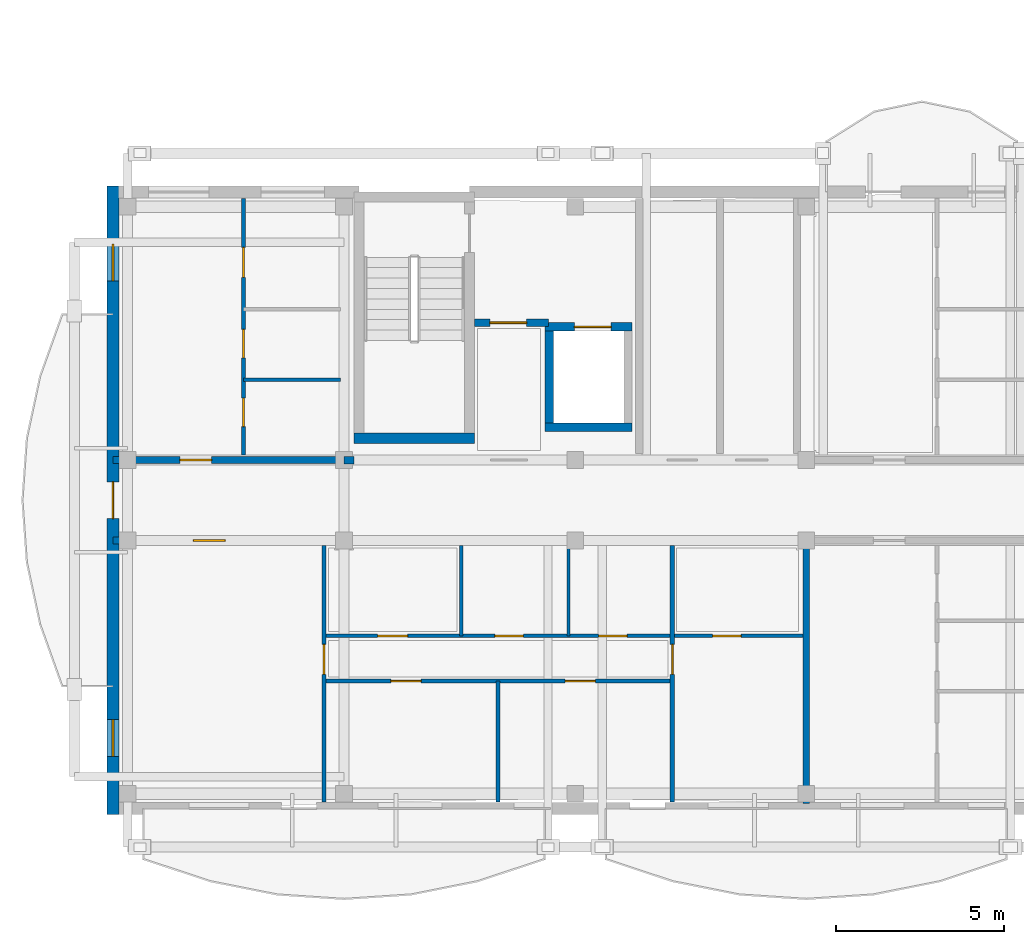
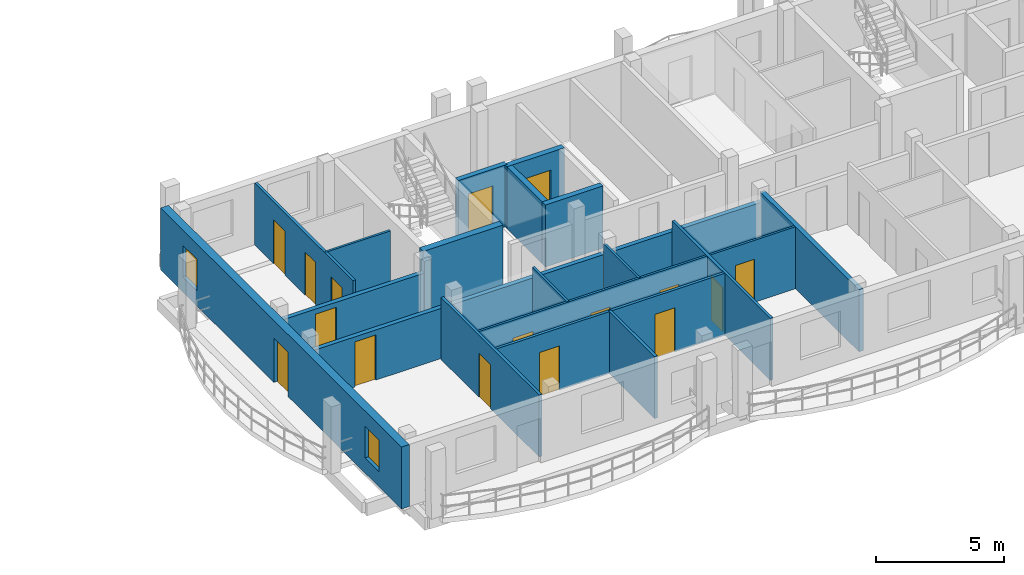
# One storey, part 14 of 44: 19 walls, 16 doors, 2 windows, 18 openings.
"""IFC4 building model written with IfcOpenShell, lengths in metres."""

from ifc_helpers import new_model, si_unit, direction, frame, frame_2d, origin, origin_with_axes, place, context, subcontext, project, spatial, rectangle, extrude, material, layer, layer_set, type_object, element, fill, save


model = new_model("IFC4")

# Units and contexts
model_context = context("Model", 3, precision=1e-05, world=origin(), true_north=direction((0.0, 1.0)))
body_context = subcontext(model_context, "Body", "Model", "MODEL_VIEW")
ifc_project = project(units=[si_unit("LENGTHUNIT", "METRE"), si_unit("AREAUNIT", "SQUARE_METRE"), si_unit("VOLUMEUNIT", "CUBIC_METRE"), si_unit("PLANEANGLEUNIT", "RADIAN"), si_unit("MASSUNIT", "GRAM", prefix="KILO")], contexts=[model_context])

# Site, building, storey
site_placement = place(None, origin())
site = spatial("IfcSite", under=ifc_project, at=site_placement, CompositionType="ELEMENT")
building_placement = place(site_placement, origin())
building = spatial("IfcBuilding", under=site, at=building_placement, Name="Zavelmont Quarter", CompositionType="ELEMENT")
storey_placement = place(building_placement, frame((0.0, 0.0, 20.800048828125)))
storey = spatial("IfcBuildingStorey", under=building, at=storey_placement, Name="L06", CompositionType="ELEMENT", Elevation=20.800048828125)

# Wall, openings, door, windows
ifc_material_1 = material(Name="Natural Belgian limestone", Category="masonry")
ifc_layer_1 = layer(ifc_material_1, 0.360107421875)
ifc_layer_set_1 = layer_set([ifc_layer_1], Name="Natural Belgian limestone")
wall_type_1 = type_object("IfcWallType", Name="EW02", PredefinedType="STANDARD", material=ifc_layer_set_1)
wall_1_placement = place(storey_placement, frame((0.0, -0.179931640625, 0.0), z_axis=(0.0, 0.0, 1.0), x_axis=(0.0, 1.0, 0.0)))
wall_1 = element("IfcWall", 1, at=wall_1_placement, inside=storey, type_object=wall_type_1, Name="L06 exterior limestone wall EW02", PredefinedType="STANDARD", context=body_context, shape_type="SweptSolid", body=[
    extrude(rectangle(XDim=18.760009765625, YDim=0.360107421875, at=frame_2d((9.3798828125, 0.0))), origin(), (0.0, 0.0, 1.0), 2.949951171875),
])
opening_1_placement = place(wall_1_placement, frame((8.830078125, 0.0, 0.0)))
opening_1 = element("IfcOpeningElement", 2, at=opening_1_placement, cuts=wall_1, Name="Opening DR04B", PredefinedType="OPENING", context=body_context, shape_type="SweptSolid", body=[
    extrude(rectangle(XDim=1.10009765625, YDim=2.10009765625, at=frame_2d((0.550048828125, 1.050048828125))), frame((0.0, 0.19189453125, 0.0), z_axis=(0.0, -1.0, 0.0), x_axis=(1.0, 0.0, 0.0)), (0.0, 0.0, 1.0), 0.384033203125),
])
opening_2_placement = place(wall_1_placement, frame((1.72998046875, 0.0, 0.719970703125)))
opening_2 = element("IfcOpeningElement", 3, at=opening_2_placement, cuts=wall_1, Name="Opening WN09", PredefinedType="OPENING", context=body_context, shape_type="SweptSolid", body=[
    extrude(rectangle(XDim=1.10009765625, YDim=1.5, at=frame_2d((0.550048828125, 0.75))), frame((0.0, 0.19189453125, 0.0), z_axis=(0.0, -1.0, 0.0), x_axis=(1.0, 0.0, 0.0)), (0.0, 0.0, 1.0), 0.384033203125),
])
opening_3_placement = place(wall_1_placement, frame((15.929931640625, 0.0, 0.719970703125)))
opening_3 = element("IfcOpeningElement", 4, at=opening_3_placement, cuts=wall_1, Name="Opening WN09", PredefinedType="OPENING", context=body_context, shape_type="SweptSolid", body=[
    extrude(rectangle(XDim=1.10009765625, YDim=1.5, at=frame_2d((0.550048828125, 0.75))), frame((0.0, 0.19189453125, 0.0), z_axis=(0.0, -1.0, 0.0), x_axis=(1.0, 0.0, 0.0)), (0.0, 0.0, 1.0), 0.384033203125),
])
ifc_material_2 = material(Name="Thermally broken aluminium and double safety glass", Category="aluminium")
door_type_1 = type_object("IfcDoorType", Name="DR04B", OperationType="NOTDEFINED", PredefinedType="DOOR", material=ifc_material_2)
door_1_placement = place(opening_1_placement, frame((1.10009765625, 0.0, 0.0), z_axis=(0.0, 0.0, 1.0), x_axis=(-1.0, 0.0, 0.0)))
door_1 = element("IfcDoor", 5, at=door_1_placement, inside=storey, type_object=door_type_1, Name="Block A L06 terrace or vase balcony door", OperationType="SINGLE_SWING_LEFT", OverallHeight=2.10009765625, OverallWidth=1.10009765625, PredefinedType="DOOR", context=body_context, shape_type="SweptSolid", body=[
    extrude(rectangle(XDim=1.10009765625, YDim=2.10009765625, at=frame_2d((0.550048828125, 1.050048828125))), frame((0.0, 0.02490234375, 0.0), z_axis=(0.0, -1.0, 0.0), x_axis=(1.0, 0.0, 0.0)), (0.0, 0.0, 1.0), 0.050048828125),
])
fill(opening_1, door_1)
ifc_material_3 = material(Name="Double low-E insulated glazing in thermally broken aluminium frame", Category="aluminium")
window_type = type_object("IfcWindowType", Name="WN09", PartitioningType="SINGLE_PANEL", PredefinedType="WINDOW", material=ifc_material_3)
window_1_placement = place(opening_2_placement, origin_with_axes())
window_1 = element("IfcWindow", 6, at=window_1_placement, inside=storey, type_object=window_type, Name="L06 window WN09", OverallHeight=1.5, OverallWidth=1.10009765625, PartitioningType="SINGLE_PANEL", PredefinedType="WINDOW", context=body_context, shape_type="SweptSolid", body=[
    extrude(rectangle(XDim=1.10009765625, YDim=1.5, at=frame_2d((0.550048828125, 0.75))), frame((0.0, 0.030029296875, 0.0), z_axis=(0.0, -1.0, 0.0), x_axis=(1.0, 0.0, 0.0)), (0.0, 0.0, 1.0), 0.06005859375),
])
fill(opening_2, window_1)
window_2_placement = place(opening_3_placement, origin_with_axes())
window_2 = element("IfcWindow", 7, at=window_2_placement, inside=storey, type_object=window_type, Name="L06 window WN09", OverallHeight=1.5, OverallWidth=1.10009765625, PartitioningType="SINGLE_PANEL", PredefinedType="WINDOW", context=body_context, shape_type="SweptSolid", body=[
    extrude(rectangle(XDim=1.10009765625, YDim=1.5, at=frame_2d((0.550048828125, 0.75))), frame((0.0, 0.030029296875, 0.0), z_axis=(0.0, -1.0, 0.0), x_axis=(1.0, 0.0, 0.0)), (0.0, 0.0, 1.0), 0.06005859375),
])
fill(opening_3, window_2)

# Wall
ifc_material_4 = material(Name="Calcium-silicate blockwork and acoustic plaster", Category="masonry")
ifc_layer_2 = layer(ifc_material_4, 0.199951171875)
ifc_layer_set_2 = layer_set([ifc_layer_2], Name="Calcium-silicate blockwork and acoustic plaster")
wall_type_2 = type_object("IfcWallType", Name="IW01", PredefinedType="PARTITIONING", material=ifc_layer_set_2)
wall_2_placement = place(storey_placement, frame((20.699951171875, 7.85009765625, 0.0), z_axis=(0.0, 0.0, 1.0), x_axis=(0.0, -1.0, 0.0)))
element("IfcWall", 8, at=wall_2_placement, inside=storey, type_object=wall_type_2, Name="L06 Inter-dwelling compartment wall IW01", PredefinedType="PARTITIONING", context=body_context, shape_type="SweptSolid", body=[
    extrude(rectangle(XDim=7.7001953125, YDim=0.199951171875, at=frame_2d((3.85009765625, 0.0))), origin(), (0.0, 0.0, 1.0), 2.949951171875),
])

# Wall, opening, door
wall_3_placement = place(storey_placement, frame((0.0, 8.0, 0.0), z_axis=(0.0, 0.0, 1.0), x_axis=(1.0, 0.0, 0.0)))
wall_3 = element("IfcWall", 9, at=wall_3_placement, inside=storey, type_object=wall_type_2, Name="L06 Corridor compartment wall IW01", PredefinedType="PARTITIONING", context=body_context, shape_type="SweptSolid", body=[
    extrude(rectangle(XDim=20.699951171875, YDim=0.199951171875, at=frame_2d((10.35009765625, 0.0))), origin(), (0.0, 0.0, 1.0), 2.389892578125),
])
opening_4_placement = place(wall_3_placement, frame((2.39990234375, 0.0, 0.0)))
opening_4 = element("IfcOpeningElement", 10, at=opening_4_placement, cuts=wall_3, Name="Opening DR02", PredefinedType="OPENING", context=body_context, shape_type="SweptSolid", body=[
    extrude(rectangle(XDim=0.949951171875, YDim=2.14990234375, at=frame_2d((0.47509765625, 1.074951171875))), frame((0.0, 0.11181640625, 0.0), z_axis=(0.0, -1.0, 0.0), x_axis=(1.0, 0.0, 0.0)), (0.0, 0.0, 1.0), 0.223876953125),
])
ifc_material_5 = material(Name="Solid-core oak fire leaf in steel frame", Category="steel")
door_type_2 = type_object("IfcDoorType", Name="DR02", OperationType="NOTDEFINED", PredefinedType="DOOR", material=ifc_material_5)
door_2_placement = place(opening_4_placement, frame((0.949951171875, 0.0, 0.0), z_axis=(0.0, 0.0, 1.0), x_axis=(-1.0, 0.0, 0.0)))
door_2 = element("IfcDoor", 11, at=door_2_placement, inside=storey, type_object=door_type_2, Name="L06 door DR02", OperationType="SINGLE_SWING_LEFT", OverallHeight=2.14990234375, OverallWidth=0.949951171875, PredefinedType="DOOR", context=body_context, shape_type="SweptSolid", body=[
    extrude(rectangle(XDim=0.949951171875, YDim=2.14990234375, at=frame_2d((0.47509765625, 1.074951171875))), frame((0.0, 0.02490234375, 0.0), z_axis=(0.0, -1.0, 0.0), x_axis=(1.0, 0.0, 0.0)), (0.0, 0.0, 1.0), 0.050048828125),
])
fill(opening_4, door_2)

wall_4_placement = place(storey_placement, frame((0.0, 10.39990234375, 0.0), z_axis=(0.0, 0.0, 1.0), x_axis=(1.0, 0.0, 0.0)))
wall_4 = element("IfcWall", 12, at=wall_4_placement, inside=storey, type_object=wall_type_2, Name="L06 Corridor compartment wall IW01", PredefinedType="PARTITIONING", context=body_context, shape_type="SweptSolid", body=[
    extrude(rectangle(XDim=6.89990234375, YDim=0.199951171875, at=frame_2d((3.449951171875, 0.0))), origin(), (0.0, 0.0, 1.0), 2.389892578125),
])
opening_5_placement = place(wall_4_placement, frame((2.0, 0.0, 0.0)))
opening_5 = element("IfcOpeningElement", 13, at=opening_5_placement, cuts=wall_4, Name="Opening DR02", PredefinedType="OPENING", context=body_context, shape_type="SweptSolid", body=[
    extrude(rectangle(XDim=0.949951171875, YDim=2.14990234375, at=frame_2d((0.47509765625, 1.074951171875))), frame((0.0, 0.11181640625, 0.0), z_axis=(0.0, -1.0, 0.0), x_axis=(1.0, 0.0, 0.0)), (0.0, 0.0, 1.0), 0.223876953125),
])
door_3_placement = place(opening_5_placement, origin_with_axes())
door_3 = element("IfcDoor", 14, at=door_3_placement, inside=storey, type_object=door_type_2, Name="L06 door DR02", OperationType="SINGLE_SWING_LEFT", OverallHeight=2.14990234375, OverallWidth=0.949951171875, PredefinedType="DOOR", context=body_context, shape_type="SweptSolid", body=[
    extrude(rectangle(XDim=0.949951171875, YDim=2.14990234375, at=frame_2d((0.47509765625, 1.074951171875))), frame((0.0, 0.02490234375, 0.0), z_axis=(0.0, -1.0, 0.0), x_axis=(1.0, 0.0, 0.0)), (0.0, 0.0, 1.0), 0.050048828125),
])
fill(opening_5, door_3)

ifc_material_6 = material(Name="Reinforced masonry fire compartment wall", Category="masonry")
ifc_layer_3 = layer(ifc_material_6, 0.22509765625)
ifc_layer_set_3 = layer_set([ifc_layer_3], Name="Reinforced masonry fire compartment wall")
wall_type_3 = type_object("IfcWallType", Name="IW02", PredefinedType="PARTITIONING", material=ifc_layer_set_3)
wall_5_placement = place(storey_placement, frame((10.800048828125, 14.5, 0.0), z_axis=(0.0, 0.0, 1.0), x_axis=(1.0, 0.0, 0.0)))
wall_5 = element("IfcWall", 15, at=wall_5_placement, inside=storey, type_object=wall_type_3, Name="L06 Firefighting lobby threshold wall IW02", PredefinedType="PARTITIONING", context=body_context, shape_type="SweptSolid", body=[
    extrude(rectangle(XDim=2.199951171875, YDim=0.22509765625, at=frame_2d((1.10009765625, 0.0))), origin(), (0.0, 0.0, 1.0), 2.949951171875),
])
opening_6_placement = place(wall_5_placement, frame((0.449951171875, 0.0, 0.0)))
opening_6 = element("IfcOpeningElement", 16, at=opening_6_placement, cuts=wall_5, Name="Opening DR10", PredefinedType="OPENING", context=body_context, shape_type="SweptSolid", body=[
    extrude(rectangle(XDim=1.10009765625, YDim=2.14990234375, at=frame_2d((0.550048828125, 1.074951171875))), frame((0.0, 0.12451171875, 0.0), z_axis=(0.0, -1.0, 0.0), x_axis=(1.0, 0.0, 0.0)), (0.0, 0.0, 1.0), 0.2490234375),
])
ifc_material_7 = material(Name="Painted steel lobby fire door", Category="steel")
door_type_3 = type_object("IfcDoorType", Name="DR10", OperationType="NOTDEFINED", PredefinedType="DOOR", material=ifc_material_7)
door_4_placement = place(opening_6_placement, origin_with_axes())
door_4 = element("IfcDoor", 17, at=door_4_placement, inside=storey, type_object=door_type_3, Name="Firefighting lobby fire door", OperationType="SINGLE_SWING_RIGHT", OverallHeight=2.14990234375, OverallWidth=1.10009765625, PredefinedType="DOOR", context=body_context, shape_type="SweptSolid", body=[
    extrude(rectangle(XDim=1.10009765625, YDim=2.14990234375, at=frame_2d((0.550048828125, 1.074951171875))), frame((0.0, 0.02490234375, 0.0), z_axis=(0.0, -1.0, 0.0), x_axis=(1.0, 0.0, 0.0)), (0.0, 0.0, 1.0), 0.050048828125),
])
fill(opening_6, door_4)

# Wall
wall_6_placement = place(storey_placement, frame((6.89990234375, 10.39990234375, 0.0), z_axis=(0.0, 0.0, 1.0), x_axis=(1.0, 0.0, 0.0)))
element("IfcWall", 18, at=wall_6_placement, inside=storey, type_object=wall_type_3, Name="L06 Core corridor wall IW02", PredefinedType="PARTITIONING", context=body_context, shape_type="SweptSolid", body=[
    extrude(rectangle(XDim=0.300048828125, YDim=0.22509765625, at=frame_2d((0.14990234375, 0.0))), origin(), (0.0, 0.0, 1.0), 2.949951171875),
])

# Wall, opening, door
ifc_material_8 = material(Name="Double gypsum board on acoustic steel stud", Category="steel")
ifc_layer_4 = layer(ifc_material_8, 0.125)
ifc_layer_set_4 = layer_set([ifc_layer_4], Name="Double gypsum board on acoustic steel stud")
wall_type_4 = type_object("IfcWallType", Name="IW03", PredefinedType="PARTITIONING", material=ifc_layer_set_4)
wall_7_placement = place(storey_placement, frame((6.300048828125, 7.85009765625, 0.0), z_axis=(0.0, 0.0, 1.0), x_axis=(0.0, -1.0, 0.0)))
wall_7 = element("IfcWall", 19, at=wall_7_placement, inside=storey, type_object=wall_type_4, Name="L06 Partition IW03", PredefinedType="PARTITIONING", context=body_context, shape_type="SweptSolid", body=[
    extrude(rectangle(XDim=7.650146484375, YDim=0.125, at=frame_2d((3.8251953125, 0.0))), origin(), (0.0, 0.0, 1.0), 2.949951171875),
])
opening_7_placement = place(wall_7_placement, frame((2.949951171875, 0.0, 0.0)))
opening_7 = element("IfcOpeningElement", 20, at=opening_7_placement, cuts=wall_7, Name="Opening DR05", PredefinedType="OPENING", context=body_context, shape_type="SweptSolid", body=[
    extrude(rectangle(XDim=0.89990234375, YDim=2.10009765625, at=frame_2d((0.449951171875, 1.050048828125))), frame((0.0, 0.074462890625, 0.0), z_axis=(0.0, -1.0, 0.0), x_axis=(1.0, 0.0, 0.0)), (0.0, 0.0, 1.0), 0.14892578125),
])
ifc_material_9 = material(Name="Engineered oak flush interior door")
door_type_4 = type_object("IfcDoorType", Name="DR05", OperationType="NOTDEFINED", PredefinedType="DOOR", material=ifc_material_9)
door_5_placement = place(opening_7_placement, origin_with_axes())
door_5 = element("IfcDoor", 21, at=door_5_placement, inside=storey, type_object=door_type_4, Name="L06 door DR05", OperationType="SINGLE_SWING_LEFT", OverallHeight=2.10009765625, OverallWidth=0.89990234375, PredefinedType="DOOR", context=body_context, shape_type="SweptSolid", body=[
    extrude(rectangle(XDim=0.89990234375, YDim=2.10009765625, at=frame_2d((0.449951171875, 1.050048828125))), frame((0.0, 0.02490234375, 0.0), z_axis=(0.0, -1.0, 0.0), x_axis=(1.0, 0.0, 0.0)), (0.0, 0.0, 1.0), 0.050048828125),
])
fill(opening_7, door_5)

# Wall
wall_8_placement = place(storey_placement, frame((11.5, 3.800048828125, 0.0), z_axis=(0.0, 0.0, 1.0), x_axis=(0.0, -1.0, 0.0)))
element("IfcWall", 22, at=wall_8_placement, inside=storey, type_object=wall_type_4, Name="L06 Partition IW03", PredefinedType="PARTITIONING", context=body_context, shape_type="SweptSolid", body=[
    extrude(rectangle(XDim=3.60009765625, YDim=0.125, at=frame_2d((1.800048828125, 0.0))), origin(), (0.0, 0.0, 1.0), 2.949951171875),
])

# Wall, opening, door
wall_9_placement = place(storey_placement, frame((16.699951171875, 7.85009765625, 0.0), z_axis=(0.0, 0.0, 1.0), x_axis=(0.0, -1.0, 0.0)))
wall_9 = element("IfcWall", 23, at=wall_9_placement, inside=storey, type_object=wall_type_4, Name="L06 Partition IW03", PredefinedType="PARTITIONING", context=body_context, shape_type="SweptSolid", body=[
    extrude(rectangle(XDim=7.650146484375, YDim=0.125, at=frame_2d((3.8251953125, 0.0))), origin(), (0.0, 0.0, 1.0), 2.949951171875),
])
opening_8_placement = place(wall_9_placement, frame((2.949951171875, 0.0, 0.0)))
opening_8 = element("IfcOpeningElement", 24, at=opening_8_placement, cuts=wall_9, Name="Opening DR05", PredefinedType="OPENING", context=body_context, shape_type="SweptSolid", body=[
    extrude(rectangle(XDim=0.89990234375, YDim=2.10009765625, at=frame_2d((0.449951171875, 1.050048828125))), frame((0.0, 0.074462890625, 0.0), z_axis=(0.0, -1.0, 0.0), x_axis=(1.0, 0.0, 0.0)), (0.0, 0.0, 1.0), 0.14892578125),
])
door_6_placement = place(opening_8_placement, frame((0.89990234375, 0.0, 0.0), z_axis=(0.0, 0.0, 1.0), x_axis=(-1.0, 0.0, 0.0)))
door_6 = element("IfcDoor", 25, at=door_6_placement, inside=storey, type_object=door_type_4, Name="L06 door DR05", OperationType="SINGLE_SWING_RIGHT", OverallHeight=2.10009765625, OverallWidth=0.89990234375, PredefinedType="DOOR", context=body_context, shape_type="SweptSolid", body=[
    extrude(rectangle(XDim=0.89990234375, YDim=2.10009765625, at=frame_2d((0.449951171875, 1.050048828125))), frame((0.0, 0.02490234375, 0.0), z_axis=(0.0, -1.0, 0.0), x_axis=(1.0, 0.0, 0.0)), (0.0, 0.0, 1.0), 0.050048828125),
])
fill(opening_8, door_6)

# Wall, openings, doors
wall_10_placement = place(storey_placement, frame((6.300048828125, 3.800048828125, 0.0), z_axis=(0.0, 0.0, 1.0), x_axis=(1.0, 0.0, 0.0)))
wall_10 = element("IfcWall", 26, at=wall_10_placement, inside=storey, type_object=wall_type_4, Name="L06 Partition IW03", PredefinedType="PARTITIONING", context=body_context, shape_type="SweptSolid", body=[
    extrude(rectangle(XDim=10.39990234375, YDim=0.125, at=frame_2d((5.199951171875, 0.0))), origin(), (0.0, 0.0, 1.0), 2.949951171875),
])
opening_9_placement = place(wall_10_placement, frame((2.0, 0.0, 0.0)))
opening_9 = element("IfcOpeningElement", 27, at=opening_9_placement, cuts=wall_10, Name="Opening DR05", PredefinedType="OPENING", context=body_context, shape_type="SweptSolid", body=[
    extrude(rectangle(XDim=0.89990234375, YDim=2.10009765625, at=frame_2d((0.449951171875, 1.050048828125))), frame((0.0, 0.074462890625, 0.0), z_axis=(0.0, -1.0, 0.0), x_axis=(1.0, 0.0, 0.0)), (0.0, 0.0, 1.0), 0.14892578125),
])
opening_10_placement = place(wall_10_placement, frame((7.199951171875, 0.0, 0.0)))
opening_10 = element("IfcOpeningElement", 28, at=opening_10_placement, cuts=wall_10, Name="Opening DR05", PredefinedType="OPENING", context=body_context, shape_type="SweptSolid", body=[
    extrude(rectangle(XDim=0.89990234375, YDim=2.10009765625, at=frame_2d((0.449951171875, 1.050048828125))), frame((0.0, 0.074462890625, 0.0), z_axis=(0.0, -1.0, 0.0), x_axis=(1.0, 0.0, 0.0)), (0.0, 0.0, 1.0), 0.14892578125),
])
door_7_placement = place(opening_9_placement, origin_with_axes())
door_7 = element("IfcDoor", 29, at=door_7_placement, inside=storey, type_object=door_type_4, Name="L06 door DR05", OperationType="SINGLE_SWING_LEFT", OverallHeight=2.10009765625, OverallWidth=0.89990234375, PredefinedType="DOOR", context=body_context, shape_type="SweptSolid", body=[
    extrude(rectangle(XDim=0.89990234375, YDim=2.10009765625, at=frame_2d((0.449951171875, 1.050048828125))), frame((0.0, 0.02490234375, 0.0), z_axis=(0.0, -1.0, 0.0), x_axis=(1.0, 0.0, 0.0)), (0.0, 0.0, 1.0), 0.050048828125),
])
fill(opening_9, door_7)
door_8_placement = place(opening_10_placement, frame((0.89990234375, 0.0, 0.0), z_axis=(0.0, 0.0, 1.0), x_axis=(-1.0, 0.0, 0.0)))
door_8 = element("IfcDoor", 30, at=door_8_placement, inside=storey, type_object=door_type_4, Name="L06 door DR05", OperationType="SINGLE_SWING_RIGHT", OverallHeight=2.10009765625, OverallWidth=0.89990234375, PredefinedType="DOOR", context=body_context, shape_type="SweptSolid", body=[
    extrude(rectangle(XDim=0.89990234375, YDim=2.10009765625, at=frame_2d((0.449951171875, 1.050048828125))), frame((0.0, 0.02490234375, 0.0), z_axis=(0.0, -1.0, 0.0), x_axis=(1.0, 0.0, 0.0)), (0.0, 0.0, 1.0), 0.050048828125),
])
fill(opening_10, door_8)

wall_11_placement = place(storey_placement, frame((3.89990234375, 10.550048828125, 0.0), z_axis=(0.0, 0.0, 1.0), x_axis=(0.0, 1.0, 0.0)))
wall_11 = element("IfcWall", 31, at=wall_11_placement, inside=storey, type_object=wall_type_4, Name="L06 Partition IW03", PredefinedType="PARTITIONING", context=body_context, shape_type="SweptSolid", body=[
    extrude(rectangle(XDim=7.64990234375, YDim=0.125, at=frame_2d((3.824951171875, 0.0))), origin(), (0.0, 0.0, 1.0), 2.949951171875),
])
opening_11_placement = place(wall_11_placement, frame((0.85009765625, 0.0, 0.0)))
opening_11 = element("IfcOpeningElement", 32, at=opening_11_placement, cuts=wall_11, Name="Opening DR16", PredefinedType="OPENING", context=body_context, shape_type="SweptSolid", body=[
    extrude(rectangle(XDim=0.85009765625, YDim=2.10009765625, at=frame_2d((0.425048828125, 1.050048828125))), frame((0.0, 0.074462890625, 0.0), z_axis=(0.0, -1.0, 0.0), x_axis=(1.0, 0.0, 0.0)), (0.0, 0.0, 1.0), 0.14892578125),
])
opening_12_placement = place(wall_11_placement, frame((2.89990234375, 0.0, 0.0)))
opening_12 = element("IfcOpeningElement", 33, at=opening_12_placement, cuts=wall_11, Name="Opening DR06", PredefinedType="OPENING", context=body_context, shape_type="SweptSolid", body=[
    extrude(rectangle(XDim=0.85009765625, YDim=2.050048828125, at=frame_2d((0.425048828125, 1.02490234375))), frame((0.0, 0.074462890625, 0.0), z_axis=(0.0, -1.0, 0.0), x_axis=(1.0, 0.0, 0.0)), (0.0, 0.0, 1.0), 0.14892578125),
])
opening_13_placement = place(wall_11_placement, frame((5.300048828125, 0.0, 0.0)))
opening_13 = element("IfcOpeningElement", 34, at=opening_13_placement, cuts=wall_11, Name="Opening DR05", PredefinedType="OPENING", context=body_context, shape_type="SweptSolid", body=[
    extrude(rectangle(XDim=0.89990234375, YDim=2.10009765625, at=frame_2d((0.449951171875, 1.050048828125))), frame((0.0, 0.074462890625, 0.0), z_axis=(0.0, -1.0, 0.0), x_axis=(1.0, 0.0, 0.0)), (0.0, 0.0, 1.0), 0.14892578125),
])
door_9_placement = place(opening_13_placement, origin_with_axes())
door_9 = element("IfcDoor", 35, at=door_9_placement, inside=storey, type_object=door_type_4, Name="L06 door DR05", OperationType="SINGLE_SWING_LEFT", OverallHeight=2.10009765625, OverallWidth=0.89990234375, PredefinedType="DOOR", context=body_context, shape_type="SweptSolid", body=[
    extrude(rectangle(XDim=0.89990234375, YDim=2.10009765625, at=frame_2d((0.449951171875, 1.050048828125))), frame((0.0, 0.02490234375, 0.0), z_axis=(0.0, -1.0, 0.0), x_axis=(1.0, 0.0, 0.0)), (0.0, 0.0, 1.0), 0.050048828125),
])
fill(opening_13, door_9)
ifc_material_10 = material(Name="Moisture-resistant painted wet-room door")
door_type_5 = type_object("IfcDoorType", Name="DR06", OperationType="NOTDEFINED", PredefinedType="DOOR", material=ifc_material_10)
door_10_placement = place(opening_12_placement, frame((0.85009765625, 0.0, 0.0), z_axis=(0.0, 0.0, 1.0), x_axis=(-1.0, 0.0, 0.0)))
door_10 = element("IfcDoor", 36, at=door_10_placement, inside=storey, type_object=door_type_5, Name="L06 door DR06", OperationType="SINGLE_SWING_RIGHT", OverallHeight=2.050048828125, OverallWidth=0.85009765625, PredefinedType="DOOR", context=body_context, shape_type="SweptSolid", body=[
    extrude(rectangle(XDim=0.85009765625, YDim=2.050048828125, at=frame_2d((0.425048828125, 1.02490234375))), frame((0.0, 0.02490234375, 0.0), z_axis=(0.0, -1.0, 0.0), x_axis=(1.0, 0.0, 0.0)), (0.0, 0.0, 1.0), 0.050048828125),
])
fill(opening_12, door_10)
door_type_6 = type_object("IfcDoorType", Name="DR16", OperationType="NOTDEFINED", PredefinedType="DOOR", material=ifc_material_9)
door_11_placement = place(opening_11_placement, origin_with_axes())
door_11 = element("IfcDoor", 37, at=door_11_placement, inside=storey, type_object=door_type_6, Name="L06 door DR16", OperationType="SINGLE_SWING_LEFT", OverallHeight=2.10009765625, OverallWidth=0.85009765625, PredefinedType="DOOR", context=body_context, shape_type="SweptSolid", body=[
    extrude(rectangle(XDim=0.85009765625, YDim=2.10009765625, at=frame_2d((0.425048828125, 1.050048828125))), frame((0.0, 0.02490234375, 0.0), z_axis=(0.0, -1.0, 0.0), x_axis=(1.0, 0.0, 0.0)), (0.0, 0.0, 1.0), 0.050048828125),
])
fill(opening_11, door_11)

# Walls
ifc_material_11 = material(Name="Moisture-resistant gypsum board on steel stud", Category="steel")
ifc_layer_5 = layer(ifc_material_11, 0.10009765625)
ifc_layer_set_5 = layer_set([ifc_layer_5], Name="Moisture-resistant gypsum board on steel stud")
wall_type_5 = type_object("IfcWallType", Name="IW04", PredefinedType="PARTITIONING", material=ifc_layer_set_5)
for number, where, z_axis, x_axis, name in (
    (38, (10.39990234375, 7.85009765625, 0.0), (0.0, 0.0, 1.0), (0.0, -1.0, 0.0), "L06 Partition IW04"),
    (39, (13.60009765625, 7.85009765625, 0.0), (0.0, 0.0, 1.0), (0.0, -1.0, 0.0), "L06 Partition IW04"),
):
    element("IfcWall", number, at=place(storey_placement, frame(where, z_axis=z_axis, x_axis=x_axis)), inside=storey, type_object=wall_type_5, Name=name, PredefinedType="PARTITIONING", context=body_context, shape_type="SweptSolid", body=[
        extrude(rectangle(XDim=2.7001953125, YDim=0.10009765625, at=frame_2d((1.35009765625, 0.0))), origin(), (0.0, 0.0, 1.0), 2.949951171875),
    ])

# Wall, openings, doors
wall_12_placement = place(storey_placement, frame((6.300048828125, 5.14990234375, 0.0), z_axis=(0.0, 0.0, 1.0), x_axis=(1.0, 0.0, 0.0)))
wall_12 = element("IfcWall", 40, at=wall_12_placement, inside=storey, type_object=wall_type_5, Name="L06 Partition IW04", PredefinedType="PARTITIONING", context=body_context, shape_type="SweptSolid", body=[
    extrude(rectangle(XDim=14.300048828125, YDim=0.10009765625, at=frame_2d((7.14990234375, 0.0))), origin(), (0.0, 0.0, 1.0), 2.949951171875),
])
opening_14_placement = place(wall_12_placement, frame((1.60009765625, 0.0, 0.0)))
opening_14 = element("IfcOpeningElement", 41, at=opening_14_placement, cuts=wall_12, Name="Opening DR05", PredefinedType="OPENING", context=body_context, shape_type="SweptSolid", body=[
    extrude(rectangle(XDim=0.89990234375, YDim=2.10009765625, at=frame_2d((0.449951171875, 1.050048828125))), frame((0.0, 0.06201171875, 0.0), z_axis=(0.0, -1.0, 0.0), x_axis=(1.0, 0.0, 0.0)), (0.0, 0.0, 1.0), 0.1240234375),
])
opening_15_placement = place(wall_12_placement, frame((5.10009765625, 0.0, 0.0)))
opening_15 = element("IfcOpeningElement", 42, at=opening_15_placement, cuts=wall_12, Name="Opening DR06", PredefinedType="OPENING", context=body_context, shape_type="SweptSolid", body=[
    extrude(rectangle(XDim=0.85009765625, YDim=2.050048828125, at=frame_2d((0.425048828125, 1.02490234375))), frame((0.0, 0.06201171875, 0.0), z_axis=(0.0, -1.0, 0.0), x_axis=(1.0, 0.0, 0.0)), (0.0, 0.0, 1.0), 0.1240234375),
])
opening_16_placement = place(wall_12_placement, frame((8.199951171875, 0.0, 0.0)))
opening_16 = element("IfcOpeningElement", 43, at=opening_16_placement, cuts=wall_12, Name="Opening DR06", PredefinedType="OPENING", context=body_context, shape_type="SweptSolid", body=[
    extrude(rectangle(XDim=0.85009765625, YDim=2.050048828125, at=frame_2d((0.425048828125, 1.02490234375))), frame((0.0, 0.06201171875, 0.0), z_axis=(0.0, -1.0, 0.0), x_axis=(1.0, 0.0, 0.0)), (0.0, 0.0, 1.0), 0.1240234375),
])
opening_17_placement = place(wall_12_placement, frame((11.60009765625, 0.0, 0.0)))
opening_17 = element("IfcOpeningElement", 44, at=opening_17_placement, cuts=wall_12, Name="Opening DR06", PredefinedType="OPENING", context=body_context, shape_type="SweptSolid", body=[
    extrude(rectangle(XDim=0.85009765625, YDim=2.050048828125, at=frame_2d((0.425048828125, 1.02490234375))), frame((0.0, 0.06201171875, 0.0), z_axis=(0.0, -1.0, 0.0), x_axis=(1.0, 0.0, 0.0)), (0.0, 0.0, 1.0), 0.1240234375),
])
door_12_placement = place(opening_14_placement, origin_with_axes())
door_12 = element("IfcDoor", 45, at=door_12_placement, inside=storey, type_object=door_type_4, Name="L06 door DR05", OperationType="SINGLE_SWING_LEFT", OverallHeight=2.10009765625, OverallWidth=0.89990234375, PredefinedType="DOOR", context=body_context, shape_type="SweptSolid", body=[
    extrude(rectangle(XDim=0.89990234375, YDim=2.10009765625, at=frame_2d((0.449951171875, 1.050048828125))), frame((0.0, 0.02490234375, 0.0), z_axis=(0.0, -1.0, 0.0), x_axis=(1.0, 0.0, 0.0)), (0.0, 0.0, 1.0), 0.050048828125),
])
fill(opening_14, door_12)
door_13_placement = place(opening_15_placement, frame((0.85009765625, 0.0, 0.0), z_axis=(0.0, 0.0, 1.0), x_axis=(-1.0, 0.0, 0.0)))
door_13 = element("IfcDoor", 46, at=door_13_placement, inside=storey, type_object=door_type_5, Name="L06 door DR06", OperationType="SINGLE_SWING_RIGHT", OverallHeight=2.050048828125, OverallWidth=0.85009765625, PredefinedType="DOOR", context=body_context, shape_type="SweptSolid", body=[
    extrude(rectangle(XDim=0.85009765625, YDim=2.050048828125, at=frame_2d((0.425048828125, 1.02490234375))), frame((0.0, 0.02490234375, 0.0), z_axis=(0.0, -1.0, 0.0), x_axis=(1.0, 0.0, 0.0)), (0.0, 0.0, 1.0), 0.050048828125),
])
fill(opening_15, door_13)
door_14_placement = place(opening_16_placement, origin_with_axes())
door_14 = element("IfcDoor", 47, at=door_14_placement, inside=storey, type_object=door_type_5, Name="L06 door DR06", OperationType="SINGLE_SWING_LEFT", OverallHeight=2.050048828125, OverallWidth=0.85009765625, PredefinedType="DOOR", context=body_context, shape_type="SweptSolid", body=[
    extrude(rectangle(XDim=0.85009765625, YDim=2.050048828125, at=frame_2d((0.425048828125, 1.02490234375))), frame((0.0, 0.02490234375, 0.0), z_axis=(0.0, -1.0, 0.0), x_axis=(1.0, 0.0, 0.0)), (0.0, 0.0, 1.0), 0.050048828125),
])
fill(opening_16, door_14)
door_15_placement = place(opening_17_placement, frame((0.85009765625, 0.0, 0.0), z_axis=(0.0, 0.0, 1.0), x_axis=(-1.0, 0.0, 0.0)))
door_15 = element("IfcDoor", 48, at=door_15_placement, inside=storey, type_object=door_type_5, Name="L06 door DR06", OperationType="SINGLE_SWING_RIGHT", OverallHeight=2.050048828125, OverallWidth=0.85009765625, PredefinedType="DOOR", context=body_context, shape_type="SweptSolid", body=[
    extrude(rectangle(XDim=0.85009765625, YDim=2.050048828125, at=frame_2d((0.425048828125, 1.02490234375))), frame((0.0, 0.02490234375, 0.0), z_axis=(0.0, -1.0, 0.0), x_axis=(1.0, 0.0, 0.0)), (0.0, 0.0, 1.0), 0.050048828125),
])
fill(opening_17, door_15)

# Walls
wall_13_placement = place(storey_placement, frame((3.89990234375, 12.800048828125, 0.0), z_axis=(0.0, 0.0, 1.0), x_axis=(1.0, 0.0, 0.0)))
element("IfcWall", 49, at=wall_13_placement, inside=storey, type_object=wall_type_5, Name="L06 Partition IW04", PredefinedType="PARTITIONING", context=body_context, shape_type="SweptSolid", body=[
    extrude(rectangle(XDim=2.900146484375, YDim=0.10009765625, at=frame_2d((1.4501953125, 0.0))), origin(), (0.0, 0.0, 1.0), 2.949951171875),
])
ifc_material_12 = material(Name="Concrete C40/50", Category="concrete")
ifc_layer_6 = layer(ifc_material_12, 0.300048828125)
ifc_layer_set_6 = layer_set([ifc_layer_6], Name="Concrete C40/50")
wall_type_6 = type_object("IfcWallType", Name="SW01", PredefinedType="SHEAR", material=ifc_layer_set_6)
wall_14_placement = place(storey_placement, frame((7.199951171875, 11.050048828125, 0.0), z_axis=(0.0, 0.0, 1.0), x_axis=(1.0, 0.0, 0.0)))
element("IfcWall", 50, at=wall_14_placement, inside=storey, type_object=wall_type_6, Name="L06 ST01 corridor shear wall SW01", PredefinedType="SHEAR", context=body_context, shape_type="SweptSolid", body=[
    extrude(rectangle(XDim=3.60009765625, YDim=0.300048828125, at=frame_2d((1.800048828125, 0.0))), origin(), (0.0, 0.0, 1.0), 2.949951171875),
])

# Wall, opening, door
ifc_layer_7 = layer(ifc_material_12, 0.25)
ifc_layer_set_7 = layer_set([ifc_layer_7], Name="Concrete C40/50")
wall_type_7 = type_object("IfcWallType", Name="SW02", PredefinedType="SHEAR", material=ifc_layer_set_7)
wall_15_placement = place(storey_placement, frame((12.89990234375, 14.375, 0.0), z_axis=(0.0, 0.0, 1.0), x_axis=(1.0, 0.0, 0.0)))
wall_15 = element("IfcWall", 51, at=wall_15_placement, inside=storey, type_object=wall_type_7, Name="L06 Lift FL01 landing shaft wall SW02", PredefinedType="SHEAR", context=body_context, shape_type="SweptSolid", body=[
    extrude(rectangle(XDim=2.60009765625, YDim=0.25, at=frame_2d((1.300048828125, 0.0))), origin(), (0.0, 0.0, 1.0), 2.949951171875),
])
opening_18_placement = place(wall_15_placement, frame((0.875, 0.0, 0.0)))
opening_18 = element("IfcOpeningElement", 52, at=opening_18_placement, cuts=wall_15, Name="Opening LD02", PredefinedType="OPENING", context=body_context, shape_type="SweptSolid", body=[
    extrude(rectangle(XDim=1.10009765625, YDim=2.10009765625, at=frame_2d((0.550048828125, 1.050048828125))), frame((0.0, 0.136962890625, 0.0), z_axis=(0.0, -1.0, 0.0), x_axis=(1.0, 0.0, 0.0)), (0.0, 0.0, 1.0), 0.27392578125),
])
ifc_material_13 = material(Name="Brushed stainless-steel firefighting lift landing door", Category="steel")
door_type_7 = type_object("IfcDoorType", Name="LD02", OperationType="SLIDING_TO_LEFT", PredefinedType="DOOR", material=ifc_material_13)
door_16_placement = place(opening_18_placement, origin_with_axes())
door_16 = element("IfcDoor", 53, at=door_16_placement, inside=storey, type_object=door_type_7, Name="Lift FL01 sliding landing door", OperationType="SLIDING_TO_LEFT", OverallHeight=2.10009765625, OverallWidth=1.10009765625, PredefinedType="DOOR", context=body_context, shape_type="SweptSolid", body=[
    extrude(rectangle(XDim=1.10009765625, YDim=2.10009765625, at=frame_2d((0.550048828125, 1.050048828125))), frame((0.0, 0.02490234375, 0.0), z_axis=(0.0, -1.0, 0.0), x_axis=(1.0, 0.0, 0.0)), (0.0, 0.0, 1.0), 0.050048828125),
])
fill(opening_18, door_16)

# Walls
wall_16_placement = place(storey_placement, frame((12.89990234375, 11.375, 0.0), z_axis=(0.0, 0.0, 1.0), x_axis=(1.0, 0.0, 0.0)))
element("IfcWall", 54, at=wall_16_placement, inside=storey, type_object=wall_type_7, Name="L06 Lift FL01 back shaft wall SW02", PredefinedType="SHEAR", context=body_context, shape_type="SweptSolid", body=[
    extrude(rectangle(XDim=2.60009765625, YDim=0.25, at=frame_2d((1.300048828125, 0.0))), origin(), (0.0, 0.0, 1.0), 2.949951171875),
])
wall_17_placement = place(storey_placement, frame((13.02490234375, 11.25, 0.0), z_axis=(0.0, 0.0, 1.0), x_axis=(0.0, 1.0, 0.0)))
element("IfcWall", 55, at=wall_17_placement, inside=storey, type_object=wall_type_7, Name="L06 Lift FL01 west shaft wall SW02", PredefinedType="SHEAR", context=body_context, shape_type="SweptSolid", body=[
    extrude(rectangle(XDim=3.25, YDim=0.25, at=frame_2d((1.625, 0.0))), origin(), (0.0, 0.0, 1.0), 2.949951171875),
])

save(model, "model.ifc")
